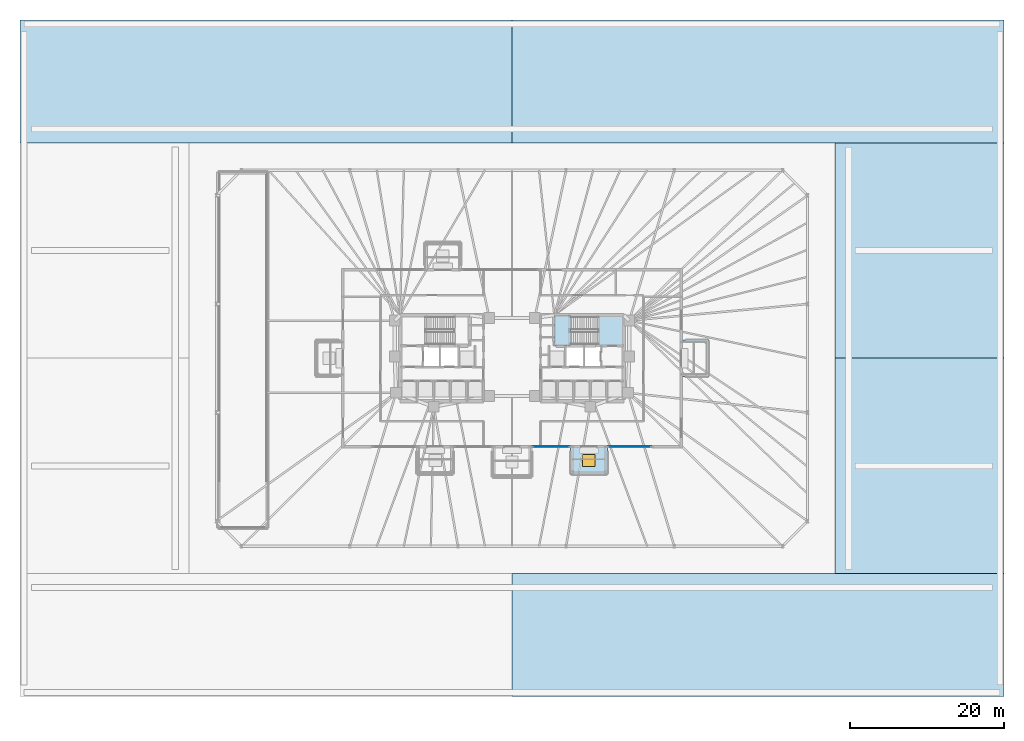
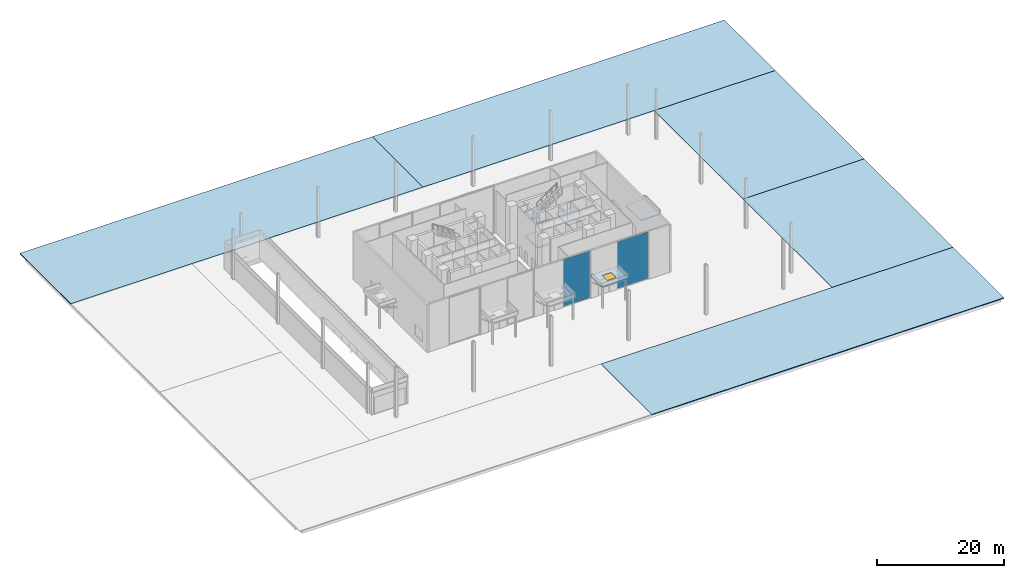
# One storey, part 12 of 24: 10 slabs, 2 plates, 1 window, 1 opening, 3 elements without a shape of their own.
"""IFC4 building model written with IfcOpenShell, lengths in metres."""

import ifcopenshell
import ifcopenshell.guid

model = None  # the IFC model being written
_history = None  # IfcOwnerHistory: only IFC2X3 demands one
_inside = {}  # id of a spatial element -> (the spatial element, [elements in it])
_under = {}  # id of a project, library or spatial element -> (it, [spatial elements below it])
_declared = {}  # id of a project -> (the project, [libraries it declares])
_typed = {}  # id of a type object -> (the type object, [elements of that type])
_made_of = {}  # id of a material, layer set ... -> (it, [elements and type objects made of it])


def new_model(schema):
    """Start an empty IFC model of exactly this schema.

    Asked for "IFC4X3", IfcOpenShell would pick the latest addendum, in which some entities
    have other attributes; the version numbers below select the first issue.
    IFC2X3 requires an IfcOwnerHistory on every rooted entity: one is made here for all.
    """
    global model, _history
    if schema == "IFC4X3":
        model = ifcopenshell.file(schema_version=(4, 3, 0, 0))
    else:
        model = ifcopenshell.file(schema=schema)
    _inside.clear()
    _under.clear()
    _declared.clear()
    _typed.clear()
    _made_of.clear()
    _history = None
    if model.schema == "IFC2X3":
        org = make("IfcOrganization", Name="unknown")
        user = make(
            "IfcPersonAndOrganization",
            ThePerson=make("IfcPerson", FamilyName="unknown"),
            TheOrganization=org,
        )
        app = make(
            "IfcApplication",
            ApplicationDeveloper=org,
            Version="unknown",
            ApplicationFullName="unknown",
            ApplicationIdentifier="unknown",
        )
        _history = make(
            "IfcOwnerHistory",
            OwningUser=user,
            OwningApplication=app,
            ChangeAction="ADDED",
            CreationDate=0,
        )
    return model


def make(cls, **values):
    """One entity of the class cls with the attributes given. An attribute that is None is left unset."""
    return model.create_entity(
        cls, **{name: value for name, value in values.items() if value is not None}
    )


def rooted(cls, **values):
    """An entity with a GlobalId (a new one), such as an element, a storey or a relation."""
    return make(cls, GlobalId=ifcopenshell.guid.new(), OwnerHistory=_history, **values)


def si_unit(unit_type, name, prefix=None):
    """IfcSIUnit, for example si_unit("LENGTHUNIT", "METRE", prefix="MILLI")."""
    return make("IfcSIUnit", UnitType=unit_type, Prefix=prefix, Name=name)


def assignment(units):
    """IfcUnitAssignment: the units of a project."""
    return None if units is None else make("IfcUnitAssignment", Units=units)


def point(xyz):
    """IfcCartesianPoint."""
    return None if xyz is None else make("IfcCartesianPoint", Coordinates=xyz)


def direction(xyz):
    """IfcDirection."""
    return None if xyz is None else make("IfcDirection", DirectionRatios=xyz)


def frame(location, z_axis=None, x_axis=None):
    """IfcAxis2Placement3D, a coordinate frame: its origin and axes. An axis left out is left unset."""
    return make(
        "IfcAxis2Placement3D",
        Location=point(location),
        Axis=direction(z_axis),
        RefDirection=direction(x_axis),
    )


def frame_2d(location, x_axis=None):
    """IfcAxis2Placement2D, a coordinate frame in the plane: its origin and x axis."""
    return make(
        "IfcAxis2Placement2D", Location=point(location), RefDirection=direction(x_axis)
    )


def origin():
    """The frame at (0, 0, 0) with its axes left unset."""
    return frame((0.0, 0.0, 0.0))


def origin_2d():
    """The frame at (0, 0) in the plane with its x axis left unset."""
    return frame_2d((0.0, 0.0))


def place(relative_to, where):
    """IfcLocalPlacement: puts the frame where relative to a parent placement (None: the world)."""
    return make(
        "IfcLocalPlacement", PlacementRelTo=relative_to, RelativePlacement=where
    )


def context(
    kind, dimensions, precision=None, world=None, true_north=None, identifier=None
):
    """IfcGeometricRepresentationContext, for example the 3D "Model" context."""
    return make(
        "IfcGeometricRepresentationContext",
        ContextIdentifier=identifier,
        ContextType=kind,
        CoordinateSpaceDimension=dimensions,
        Precision=precision,
        WorldCoordinateSystem=world,
        TrueNorth=true_north,
    )


def subcontext(parent, identifier, kind, view, scale=None):
    """IfcGeometricRepresentationSubContext, for example "Body" below "Model"."""
    return make(
        "IfcGeometricRepresentationSubContext",
        ContextIdentifier=identifier,
        ContextType=kind,
        ParentContext=parent,
        TargetScale=scale,
        TargetView=view,
    )


def project(units=None, contexts=None):
    """IfcProject with its units and contexts."""
    return rooted(
        "IfcProject",
        Name="project",
        RepresentationContexts=contexts,
        UnitsInContext=assignment(units),
    )


def spatial(cls, under=None, at=None, **own):
    """A site, building, storey or space (cls), placed at a placement, below another one or the project."""
    s = rooted(cls, ObjectPlacement=at, **own)
    if under is not None:
        _under.setdefault(under.id(), (under, []))[1].append(s)
    return s


def polyline(points):
    """IfcPolyline through the points."""
    return make("IfcPolyline", Points=[point(p) for p in points])


def profile(cls, at=None, kind="AREA", **sizes):
    """A parametric profile (cls). Its sizes go by their IFC names, for example OverallWidth=200.0."""
    return make(cls, ProfileType=kind, Position=at, **sizes)


def rectangle(**sizes):
    """IfcRectangleProfileDef."""
    return profile("IfcRectangleProfileDef", **sizes)


def outline(outer, holes=None, kind="AREA"):
    """IfcArbitraryClosedProfileDef: a profile drawn as a closed curve; with holes, ...WithVoids."""
    if holes is None:
        return make("IfcArbitraryClosedProfileDef", ProfileType=kind, OuterCurve=outer)
    return make(
        "IfcArbitraryProfileDefWithVoids",
        ProfileType=kind,
        OuterCurve=outer,
        InnerCurves=holes,
    )


def extrude(swept, where, along, depth):
    """IfcExtrudedAreaSolid: the profile swept, set in the frame where, extruded along a direction by depth."""
    return make(
        "IfcExtrudedAreaSolid",
        SweptArea=swept,
        Position=where,
        ExtrudedDirection=direction(along),
        Depth=depth,
    )


def shape(context_of_items, identifier, shape_type, items):
    """IfcShapeRepresentation: the items that make up one representation, for example the "Body"."""
    return make(
        "IfcShapeRepresentation",
        ContextOfItems=context_of_items,
        RepresentationIdentifier=identifier,
        RepresentationType=shape_type,
        Items=items,
    )


def material(Name=None, Category=None):
    """IfcMaterial."""
    return make("IfcMaterial", Name=Name, Category=Category)


def layer(
    of_material, thickness, ventilated=None, Name=None, Category=None, Priority=None
):
    """IfcMaterialLayer: one layer of a wall or slab, of a material (None: an air gap)."""
    return make(
        "IfcMaterialLayer",
        Material=of_material,
        LayerThickness=thickness,
        IsVentilated=ventilated,
        Name=Name,
        Category=Category,
        Priority=Priority,
    )


def layer_set(layers, Name=None):
    """IfcMaterialLayerSet."""
    return make("IfcMaterialLayerSet", MaterialLayers=layers, LayerSetName=Name)


def made_of(thing, what):
    """Note that an element or type object is made of a material, layer set ...; save() writes the relation."""
    if what is not None:
        _made_of.setdefault(what.id(), (what, []))[1].append(thing)
    return thing


def type_object(cls, material=None, **own):
    """A type object (cls), such as IfcWallType, which elements share."""
    return made_of(rooted(cls, **own), material)


def element(
    cls,
    number,
    at=None,
    inside=None,
    cuts=None,
    type_object=None,
    material=None,
    context=None,
    identifier="Body",
    shape_type=None,
    held_by="IfcProductDefinitionShape",
    body=None,
    shapes=None,
    **own,
):
    """One element of the class cls, such as IfcWall. Its Tag is "e" and its number.

    at: its placement. inside: the storey or other place that contains it. cuts: it is an
    opening in that element (IfcRelVoidsElement). A single representation is given by context,
    identifier, shape_type and body (its items); several are given by shapes. held_by: the class
    of the entity that holds the representations. save() writes the other relations.
    """
    e = rooted(cls, Tag="e%d" % number, ObjectPlacement=at, **own)
    if body is not None:
        shapes = [shape(context, identifier, shape_type, body)]
    if shapes is not None:
        e.Representation = make(held_by, Representations=shapes)
    if inside is not None:
        _inside.setdefault(inside.id(), (inside, []))[1].append(e)
    if cuts is not None:
        rooted(
            "IfcRelVoidsElement", RelatingBuildingElement=cuts, RelatedOpeningElement=e
        )
    if type_object is not None:
        _typed.setdefault(type_object.id(), (type_object, []))[1].append(e)
    return made_of(e, material)


def fill(opening, filler):
    """IfcRelFillsElement: the door or window that sits in an opening."""
    return rooted(
        "IfcRelFillsElement",
        RelatingOpeningElement=opening,
        RelatedBuildingElement=filler,
    )


def aggregate(whole, parts):
    """IfcRelAggregates: a whole, such as a stair, and the parts it consists of."""
    return rooted("IfcRelAggregates", RelatingObject=whole, RelatedObjects=parts)


def save(model, path):
    """Write the relations noted so far, then the file.

    IfcRelAggregates (storeys below a building ...), IfcRelContainedInSpatialStructure (elements
    in a storey), IfcRelDefinesByType, IfcRelAssociatesMaterial and IfcRelDeclares: one each for
    every whole, place, type object, material and project.
    """
    for whole, parts in _under.values():
        aggregate(whole, parts)
    for where, things in _inside.values():
        rooted(
            "IfcRelContainedInSpatialStructure",
            RelatedElements=things,
            RelatingStructure=where,
        )
    for kind, things in _typed.values():
        rooted("IfcRelDefinesByType", RelatedObjects=things, RelatingType=kind)
    for what, things in _made_of.values():
        rooted("IfcRelAssociatesMaterial", RelatedObjects=things, RelatingMaterial=what)
    for by, libraries in _declared.values():
        rooted("IfcRelDeclares", RelatingContext=by, RelatedDefinitions=libraries)
    model.write(path)


model = new_model("IFC4")

# Units and contexts
model_context = context("Model", 3, precision=1e-05, world=origin(), true_north=direction((0.0, 1.0)))
body_context = subcontext(model_context, "Body", "Model", "MODEL_VIEW")
ifc_project = project(units=[si_unit("LENGTHUNIT", "METRE"), si_unit("AREAUNIT", "SQUARE_METRE"), si_unit("VOLUMEUNIT", "CUBIC_METRE"), si_unit("PLANEANGLEUNIT", "RADIAN"), si_unit("MASSUNIT", "GRAM", prefix="KILO")], contexts=[model_context])

# Site, building, storey
site_placement = place(None, origin())
site = spatial("IfcSite", under=ifc_project, at=site_placement, CompositionType="ELEMENT")
building_placement = place(site_placement, origin())
building = spatial("IfcBuilding", under=site, at=building_placement, Name="Menara Jurai Vektor", CompositionType="ELEMENT")
storey_placement = place(building_placement, origin())
storey = spatial("IfcBuildingStorey", under=building, at=storey_placement, Name="L00", CompositionType="ELEMENT", Elevation=0.0)

# Slabs
ifc_material_1 = material(Name="Granite Plaza Paving", Category="masonry")
ifc_layer_1 = layer(ifc_material_1, 0.14990234375)
ifc_layer_set_1 = layer_set([ifc_layer_1], Name="Granite Plaza Paving")
slab_type_1 = type_object("IfcSlabType", Name="ARCH-SLAB-PAV150", PredefinedType="USERDEFINED", material=ifc_layer_set_1)
slab_1_placement = place(storey_placement, frame((0.0, 0.0, -0.14990234375)))
element("IfcSlab", 1, at=slab_1_placement, inside=storey, type_object=slab_type_1, Name="Public Plaza Granite Paving PV-S2", ObjectType="PAVING", PredefinedType="USERDEFINED", context=body_context, shape_type="SweptSolid", body=[
    extrude(outline(polyline([(64.0, -44.0), (64.0, -28.0), (0.0, -28.0), (0.0, -44.0), (64.0, -44.0)])), origin(), (0.0, 0.0, 1.0), 0.14990234375),
])
slab_2_placement = place(storey_placement, frame((0.0, 0.0, -0.14990234375)))
element("IfcSlab", 2, at=slab_2_placement, inside=storey, type_object=slab_type_1, Name="Public Plaza Granite Paving PV-N1", ObjectType="PAVING", PredefinedType="USERDEFINED", context=body_context, shape_type="SweptSolid", body=[
    extrude(outline(polyline([(0.0, 28.0), (0.0, 44.0), (-64.0, 44.0), (-64.0, 28.0), (0.0, 28.0)])), origin(), (0.0, 0.0, 1.0), 0.14990234375),
])
slab_3_placement = place(storey_placement, frame((0.0, 0.0, -0.14990234375)))
element("IfcSlab", 3, at=slab_3_placement, inside=storey, type_object=slab_type_1, Name="Public Plaza Granite Paving PV-N2", ObjectType="PAVING", PredefinedType="USERDEFINED", context=body_context, shape_type="SweptSolid", body=[
    extrude(outline(polyline([(64.0, 28.0), (64.0, 44.0), (0.0, 44.0), (0.0, 28.0), (64.0, 28.0)])), origin(), (0.0, 0.0, 1.0), 0.14990234375),
])
slab_4_placement = place(storey_placement, frame((0.0, 0.0, -0.14990234375)))
element("IfcSlab", 4, at=slab_4_placement, inside=storey, type_object=slab_type_1, Name="Public Plaza Granite Paving PV-E1", ObjectType="PAVING", PredefinedType="USERDEFINED", context=body_context, shape_type="SweptSolid", body=[
    extrude(outline(polyline([(64.0, -28.0), (64.0, 0.0), (42.0, 0.0), (42.0, -28.0), (64.0, -28.0)])), origin(), (0.0, 0.0, 1.0), 0.14990234375),
])
slab_5_placement = place(storey_placement, frame((0.0, 0.0, -0.14990234375)))
element("IfcSlab", 5, at=slab_5_placement, inside=storey, type_object=slab_type_1, Name="Public Plaza Granite Paving PV-E2", ObjectType="PAVING", PredefinedType="USERDEFINED", context=body_context, shape_type="SweptSolid", body=[
    extrude(outline(polyline([(64.0, 0.0), (64.0, 28.0), (42.0, 28.0), (42.0, 0.0), (64.0, 0.0)])), origin(), (0.0, 0.0, 1.0), 0.14990234375),
])

# Curtain wall, plate
ifc_material_2 = material(Name="Anodised Pale Aluminium & Low-E Double Glazing", Category="aluminium")
curtain_wall_type = type_object("IfcCurtainWallType", Name="CW-SKY", PredefinedType="NOTDEFINED", material=ifc_material_2)
curtain_wall_1_placement = place(storey_placement, origin())
curtain_wall_1 = element("IfcCurtainWall", 6, at=curtain_wall_1_placement, inside=storey, type_object=curtain_wall_type, Name="Unitised Curtain Wall L00 S3", PredefinedType="NOTDEFINED")
ifc_material_3 = material(Name="Low-E Solar-Control Double Glazed Unit", Category="glass")
ifc_layer_2 = layer(ifc_material_3, 0.0419921875)
ifc_layer_set_2 = layer_set([ifc_layer_2], Name="Low-E Solar-Control Double Glazed Unit")
plate_type = type_object("IfcPlateType", Name="CW-SKY-PNL", PredefinedType="CURTAIN_PANEL", material=ifc_layer_set_2)
plate_1_placement = place(storey_placement, frame((5.10009765625, -11.5, 0.10986328125), z_axis=(0.0, 0.0, 1.0), x_axis=(1.0, 0.0, 0.0)))
plate_1 = element("IfcPlate", 7, at=plate_1_placement, type_object=plate_type, Name="CW-06 panel 1.1", PredefinedType="CURTAIN_PANEL", context=body_context, shape_type="SweptSolid", body=[
    extrude(rectangle(XDim=4.780029296875, YDim=0.0419921875, at=origin_2d()), origin(), (0.0, 0.0, 1.0), 8.97509765625),
])
aggregate(curtain_wall_1, [plate_1])

curtain_wall_2_placement = place(storey_placement, origin())
curtain_wall_2 = element("IfcCurtainWall", 8, at=curtain_wall_2_placement, inside=storey, type_object=curtain_wall_type, Name="Unitised Curtain Wall L00 S4", PredefinedType="NOTDEFINED")
plate_2_placement = place(storey_placement, frame((15.300048828125, -11.5, 0.10986328125), z_axis=(0.0, 0.0, 1.0), x_axis=(1.0, 0.0, 0.0)))
plate_2 = element("IfcPlate", 9, at=plate_2_placement, type_object=plate_type, Name="CW-06 panel 1.1", PredefinedType="CURTAIN_PANEL", context=body_context, shape_type="SweptSolid", body=[
    extrude(rectangle(XDim=5.580078125, YDim=0.0419921875, at=origin_2d()), origin(), (0.0, 0.0, 1.0), 8.97509765625),
])
aggregate(curtain_wall_2, [plate_2])

# Stair, slabs
ifc_material_4 = material(Name="Concrete C40/50", Category="concrete")
stair_type = type_object("IfcStairType", Name="STAIR-DOGLEG-1500", PredefinedType="HALF_TURN_STAIR", material=ifc_material_4)
stair_placement = place(storey_placement, origin())
stair = element("IfcStair", 10, at=stair_placement, inside=storey, type_object=stair_type, Name="Protected Exit Stair ST2 L00", PredefinedType="HALF_TURN_STAIR")
ifc_layer_3 = layer(ifc_material_4, 0.199951171875)
ifc_layer_set_3 = layer_set([ifc_layer_3], Name="Concrete C40/50")
slab_type_2 = type_object("IfcSlabType", Name="STAIR-LANDING-200", PredefinedType="LANDING", material=ifc_layer_set_3)
slab_6_placement = place(storey_placement, frame((0.0, 0.0, 2.199951171875)))
slab_6 = element("IfcSlab", 11, at=slab_6_placement, type_object=slab_type_2, Name="ST2 landing 1", PredefinedType="LANDING", context=body_context, shape_type="SweptSolid", body=[
    extrude(outline(polyline([(5.550048828125, 1.64990234375), (7.679931640625, 1.64990234375), (7.679931640625, 5.550048828125), (5.550048828125, 5.550048828125), (5.550048828125, 1.64990234375)])), origin(), (0.0, 0.0, 1.0), 0.199951171875),
])
slab_7_placement = place(storey_placement, frame((0.0, 0.0, 4.60009765625)))
slab_7 = element("IfcSlab", 12, at=slab_7_placement, type_object=slab_type_2, Name="ST2 landing 2", PredefinedType="LANDING", context=body_context, shape_type="SweptSolid", body=[
    extrude(outline(polyline([(11.10009765625, 1.64990234375), (14.449951171875, 1.64990234375), (14.449951171875, 5.550048828125), (11.10009765625, 5.550048828125), (11.10009765625, 1.64990234375)])), origin(), (0.0, 0.0, 1.0), 0.199951171875),
])
slab_8_placement = place(storey_placement, frame((0.0, 0.0, 7.0)))
slab_8 = element("IfcSlab", 13, at=slab_8_placement, type_object=slab_type_2, Name="ST2 landing 3", PredefinedType="LANDING", context=body_context, shape_type="SweptSolid", body=[
    extrude(outline(polyline([(5.550048828125, 1.64990234375), (7.679931640625, 1.64990234375), (7.679931640625, 5.550048828125), (5.550048828125, 5.550048828125), (5.550048828125, 1.64990234375)])), origin(), (0.0, 0.0, 1.0), 0.199951171875),
])
aggregate(stair, [slab_6, slab_7, slab_8])

# Slab, opening, window
ifc_layer_4 = layer(ifc_material_4, 0.179931640625)
ifc_layer_set_4 = layer_set([ifc_layer_4], Name="Concrete C40/50")
slab_type_3 = type_object("IfcSlabType", Name="STR-ROOF-CAN180", PredefinedType="ROOF", material=ifc_layer_set_4)
slab_9_placement = place(storey_placement, frame((0.0, 0.0, 4.199951171875)))
slab_9 = element("IfcSlab", 14, at=slab_9_placement, inside=storey, type_object=slab_type_3, Name="Entrance Canopy Roof Slab E3", PredefinedType="ROOF", context=body_context, shape_type="SweptSolid", body=[
    extrude(outline(polyline([(12.39990234375, -15.10009765625), (12.39990234375, -11.5), (7.60009765625, -11.5), (7.60009765625, -15.10009765625), (12.39990234375, -15.10009765625)])), origin(), (0.0, 0.0, 1.0), 0.179931640625),
])
opening_placement = place(slab_9_placement, frame((10.0, -13.300048828125, 0.0)))
opening = element("IfcOpeningElement", 15, at=opening_placement, cuts=slab_9, Name="Opening SK-16", PredefinedType="OPENING", context=body_context, shape_type="SweptSolid", body=[
    extrude(rectangle(XDim=1.60009765625, YDim=1.60009765625, at=origin_2d()), frame((0.0, 0.0, -0.010009765625)), (0.0, 0.0, 1.0), 0.199951171875),
])
ifc_material_5 = material(Name="Laminated Insulated Daylight Rooflight", Category="glass")
window_type = type_object("IfcWindowType", Name="ENV-WIN-SKY160", PartitioningType="SINGLE_PANEL", PredefinedType="SKYLIGHT", material=ifc_material_5)
window_placement = place(opening_placement, frame((0.0, 0.0, 0.1298828125)))
window = element("IfcWindow", 16, at=window_placement, inside=storey, type_object=window_type, Name="Entrance Canopy Daylight Rooflight E3", OverallHeight=1.60009765625, OverallWidth=1.60009765625, PartitioningType="SINGLE_PANEL", PredefinedType="SKYLIGHT", context=body_context, shape_type="SweptSolid", body=[
    extrude(rectangle(XDim=1.60009765625, YDim=1.60009765625, at=origin_2d()), origin(), (0.0, 0.0, 1.0), 0.050048828125),
])
fill(opening, window)

# Slab
slab_10_placement = place(storey_placement, frame((0.0, 0.0, 4.199951171875)))
element("IfcSlab", 17, at=slab_10_placement, inside=storey, type_object=slab_type_3, Name="Entrance Canopy Roof Slab E6", PredefinedType="ROOF", context=body_context, shape_type="SweptSolid", body=[
    extrude(outline(polyline([(25.60009765625, -2.39990234375), (25.60009765625, 2.39990234375), (22.0, 2.39990234375), (22.0, -2.39990234375), (25.60009765625, -2.39990234375)])), origin(), (0.0, 0.0, 1.0), 0.179931640625),
])

save(model, "model.ifc")
